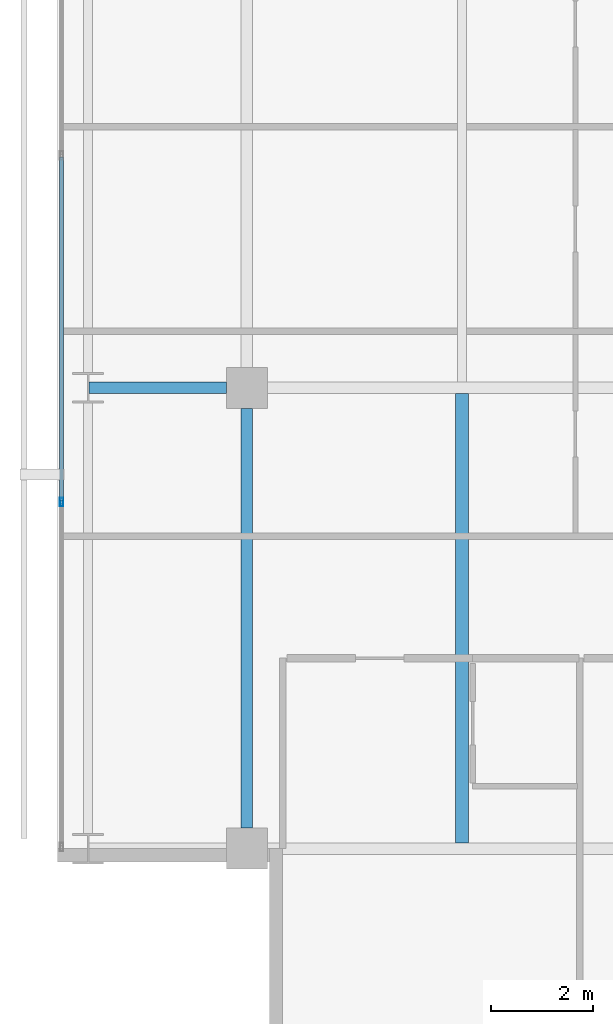
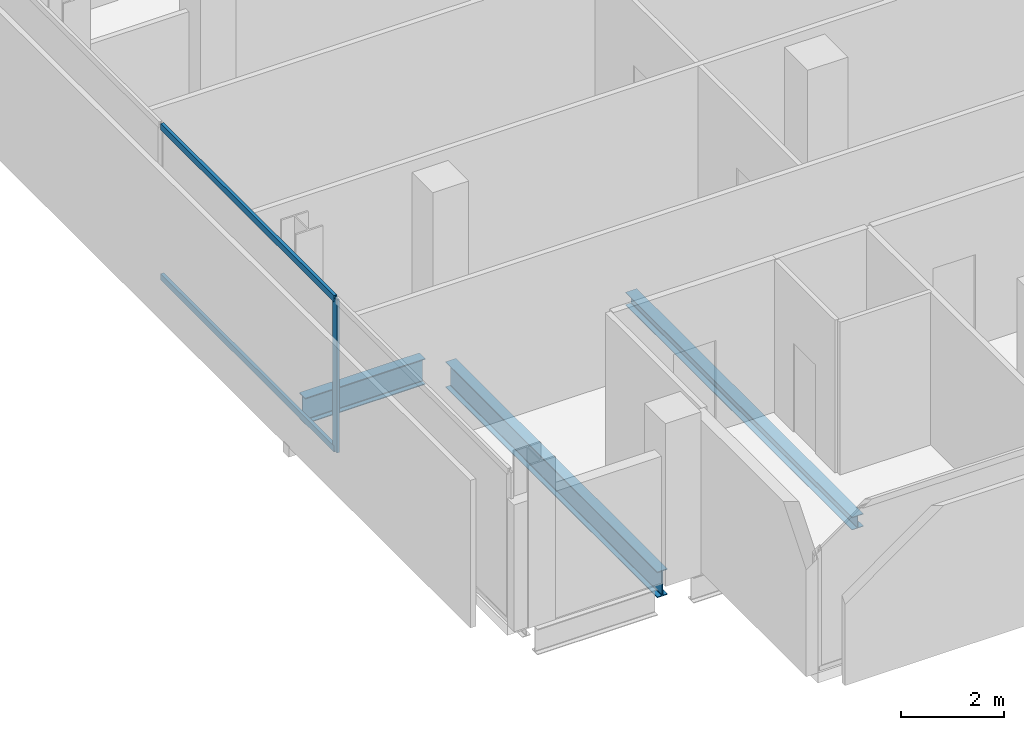
# One storey, part 4 of 34: 3 beams, 3 members, 1 element without a shape of its own.
"""IFC4 building model written with IfcOpenShell, lengths in metres."""

from ifc_helpers import new_model, si_unit, direction, frame, origin, origin_2d, place, context, subcontext, project, spatial, hollow_rectangle, i_section, extrude, material, layer, layer_set, material_profile, profile_set, type_object, element, aggregate, save


model = new_model("IFC4")

# Units and contexts
model_context = context("Model", 3, precision=1e-05, world=origin(), true_north=direction((0.0, 1.0)))
body_context = subcontext(model_context, "Body", "Model", "MODEL_VIEW")
ifc_project = project(units=[si_unit("LENGTHUNIT", "METRE"), si_unit("AREAUNIT", "SQUARE_METRE"), si_unit("VOLUMEUNIT", "CUBIC_METRE"), si_unit("PLANEANGLEUNIT", "RADIAN"), si_unit("MASSUNIT", "GRAM", prefix="KILO")], contexts=[model_context])

# Site, building, storey
site_placement = place(None, origin())
site = spatial("IfcSite", under=ifc_project, at=site_placement, CompositionType="ELEMENT")
building_placement = place(site_placement, origin())
building = spatial("IfcBuilding", under=site, at=building_placement, Name="Maruvema Waterfront Hotel and Observation Tower", CompositionType="ELEMENT")
storey_placement = place(building_placement, frame((0.0, 0.0, 135.10009765625)))
storey = spatial("IfcBuildingStorey", under=building, at=storey_placement, Name="L32", CompositionType="ELEMENT", Elevation=135.10009765625)

# Curtain wall, members
ifc_material_1 = material(Name="Anodised bronze aluminium and solar-control low-E IGU", Category="aluminium")
ifc_layer = layer(ifc_material_1, 0.159912109375, Name="Zone 2 Amber Inner Thermal Curtain Wall System CW-03")
ifc_layer_set = layer_set([ifc_layer], Name="Anodised bronze aluminium and solar-control low-E IGU")
curtain_wall_type = type_object("IfcCurtainWallType", Name="Zone 2 Amber Inner Thermal Curtain Wall System CW-03", PredefinedType="USERDEFINED", material=ifc_layer_set)
curtain_wall_placement = place(storey_placement, origin())
curtain_wall = element("IfcCurtainWall", 1, at=curtain_wall_placement, inside=storey, type_object=curtain_wall_type, Name="L32 Curtain Wall CW-L32-W", ObjectType="UNITISED CURTAIN WALL", PredefinedType="USERDEFINED")
ifc_material_2 = material(Name="Anodised architectural bronze aluminium", Category="aluminium")
ifc_material_profile_1 = material_profile(ifc_material_2, hollow_rectangle(XDim=0.070068359375, YDim=0.14990234375, WallThickness=0.00390625, at=origin_2d()), Name="ALU-T70x150")
ifc_profile_set_1 = profile_set([ifc_material_profile_1], Name="Anodised architectural bronze aluminium")
member_type_1 = type_object("IfcMemberType", Name="Curtain Wall Horizontal Transom ALU-T70x150", PredefinedType="USERDEFINED", material=ifc_profile_set_1)
member_1_placement = place(storey_placement, frame((13.179931640625, 22.50341796875, 0.02978515625), z_axis=(0.0, -1.0, 0.0), x_axis=(1.0, 0.0, 0.0)))
member_1 = element("IfcMember", 2, at=member_1_placement, type_object=member_type_1, Name="CW-03 transom 5.1", ObjectType="TRANSOM", PredefinedType="USERDEFINED", context=body_context, shape_type="SweptSolid", body=[
    extrude(hollow_rectangle(XDim=0.070068359375, YDim=0.14990234375, WallThickness=0.00390625, at=origin_2d()), origin(), (0.0, 0.0, 1.0), 6.706787109375),
])
member_2_placement = place(storey_placement, frame((13.179931640625, 22.50341796875, 3.579833984375), z_axis=(0.0, -1.0, 0.0), x_axis=(1.0, 0.0, 0.0)))
member_2 = element("IfcMember", 3, at=member_2_placement, type_object=member_type_1, Name="CW-03 transom 5.2", ObjectType="TRANSOM", PredefinedType="USERDEFINED", context=body_context, shape_type="SweptSolid", body=[
    extrude(hollow_rectangle(XDim=0.070068359375, YDim=0.14990234375, WallThickness=0.00390625, at=origin_2d()), origin(), (0.0, 0.0, 1.0), 6.706787109375),
])
ifc_material_3 = material(Name="Anodised architectural bronze aluminium", Category="aluminium")
ifc_material_profile_2 = material_profile(ifc_material_3, hollow_rectangle(XDim=0.06494140625, YDim=0.1650390625, WallThickness=0.00390625, at=origin_2d()), Name="ALU-M65x165")
ifc_profile_set_2 = profile_set([ifc_material_profile_2], Name="Anodised architectural bronze aluminium")
member_type_2 = type_object("IfcMemberType", Name="Curtain Wall Primary Mullion ALU-M65x165", PredefinedType="MULLION", material=ifc_profile_set_2)
member_3_placement = place(storey_placement, frame((13.179931640625, 15.7666015625, 0.0), z_axis=(0.0, 0.0, 1.0), x_axis=(1.0, 0.0, 0.0)))
member_3 = element("IfcMember", 4, at=member_3_placement, type_object=member_type_2, Name="CW-03 mullion 6", PredefinedType="MULLION", context=body_context, shape_type="SweptSolid", body=[
    extrude(hollow_rectangle(XDim=0.06494140625, YDim=0.1650390625, WallThickness=0.00390625, at=origin_2d()), origin(), (0.0, 0.0, 1.0), 3.60986328125),
])
aggregate(curtain_wall, [member_3, member_1, member_2])

# Beams
ifc_material_4 = material(Name="Steel ASTM A572 Grade 50", Category="steel")
ifc_material_profile_3 = material_profile(ifc_material_4, i_section(OverallWidth=0.22900390625, OverallDepth=0.612060546875, WebThickness=0.011962890625, FlangeThickness=0.01953125, FilletRadius=0.01806640625, at=origin_2d()), Name="W610x125.0")
ifc_profile_set_3 = profile_set([ifc_material_profile_3], Name="Steel ASTM A572 Grade 50")
beam_type_1 = type_object("IfcBeamType", Name="Primary Floor Girder W610x125.0", PredefinedType="BEAM", material=ifc_profile_set_3)
beam_1_placement = place(storey_placement, frame((13.71240234375, 18.0, -0.546142578125), z_axis=(1.0, 0.0, 0.0), x_axis=(0.0, 1.0, 0.0)))
element("IfcBeam", 5, at=beam_1_placement, inside=storey, type_object=beam_type_1, Name="L32 Floor Girder EW-11", PredefinedType="BEAM", context=body_context, shape_type="SweptSolid", body=[
    extrude(i_section(OverallWidth=0.22900390625, OverallDepth=0.612060546875, WebThickness=0.011962890625, FlangeThickness=0.01953125, FilletRadius=0.01806640625, at=origin_2d()), origin(), (0.0, 0.0, 1.0), 2.6875),
])
beam_2_placement = place(storey_placement, frame((16.800048828125, 9.39990234375, -0.546142578125), z_axis=(0.0, 1.0, 0.0), x_axis=(-1.0, 0.0, 0.0)))
element("IfcBeam", 6, at=beam_2_placement, inside=storey, type_object=beam_type_1, Name="L32 Floor Girder NS-05", PredefinedType="BEAM", context=body_context, shape_type="SweptSolid", body=[
    extrude(i_section(OverallWidth=0.22900390625, OverallDepth=0.612060546875, WebThickness=0.011962890625, FlangeThickness=0.01953125, FilletRadius=0.01806640625, at=origin_2d()), origin(), (0.0, 0.0, 1.0), 8.2001953125),
])
ifc_material_5 = material(Name="Steel ASTM A572 Grade 50", Category="steel")
ifc_material_profile_4 = material_profile(ifc_material_5, i_section(OverallWidth=0.25390625, OverallDepth=0.305908203125, WebThickness=0.0087890625, FlangeThickness=0.0146484375, FilletRadius=0.014892578125, at=origin_2d()), Name="W310x79.0")
ifc_profile_set_4 = profile_set([ifc_material_profile_4], Name="Steel ASTM A572 Grade 50")
beam_type_2 = type_object("IfcBeamType", Name="Secondary Floor Joist W310x79.0", PredefinedType="JOIST", material=ifc_profile_set_4)
beam_3_placement = place(storey_placement, frame((21.0, 9.114501953125, -0.39306640625), z_axis=(0.0, 1.0, 0.0), x_axis=(-1.0, 0.0, 0.0)))
element("IfcBeam", 7, at=beam_3_placement, inside=storey, type_object=beam_type_2, Name="L32 Secondary Floor Joist JS-01", PredefinedType="JOIST", context=body_context, shape_type="SweptSolid", body=[
    extrude(i_section(OverallWidth=0.25390625, OverallDepth=0.305908203125, WebThickness=0.0087890625, FlangeThickness=0.0146484375, FilletRadius=0.014892578125, at=origin_2d()), origin(), (0.0, 0.0, 1.0), 8.77099609375),
])

save(model, "model.ifc")
